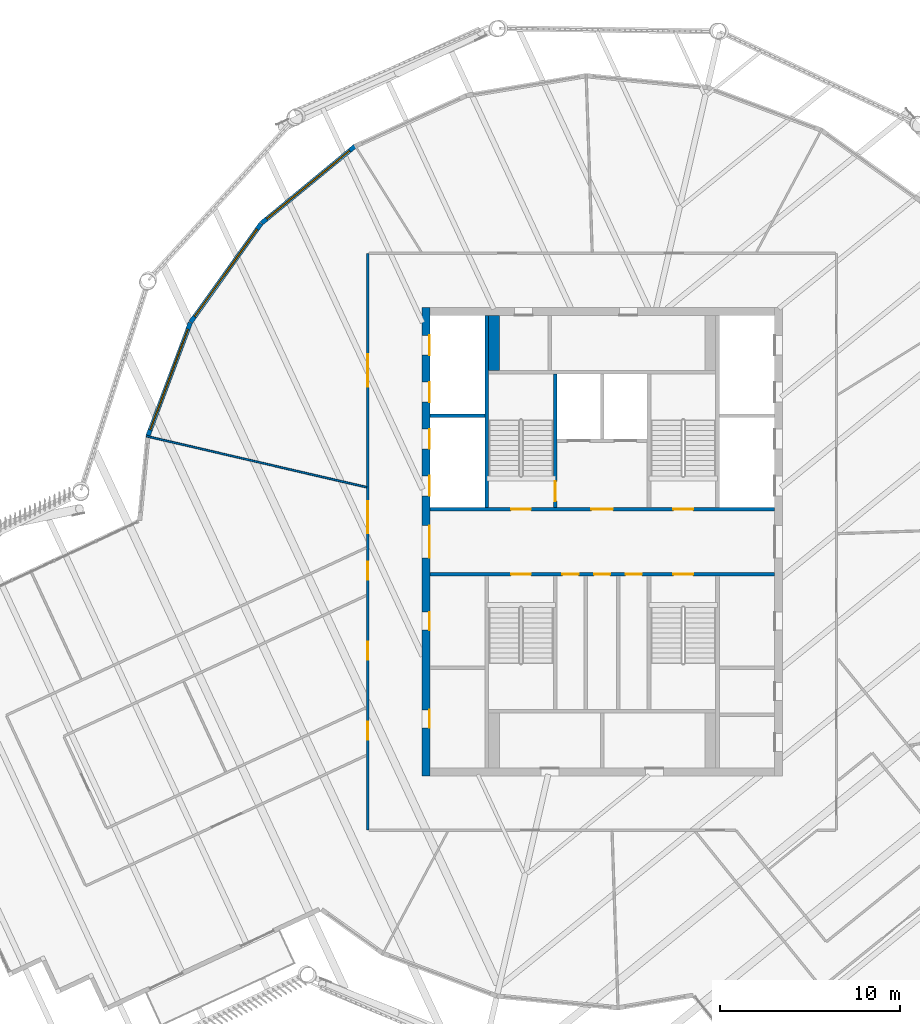
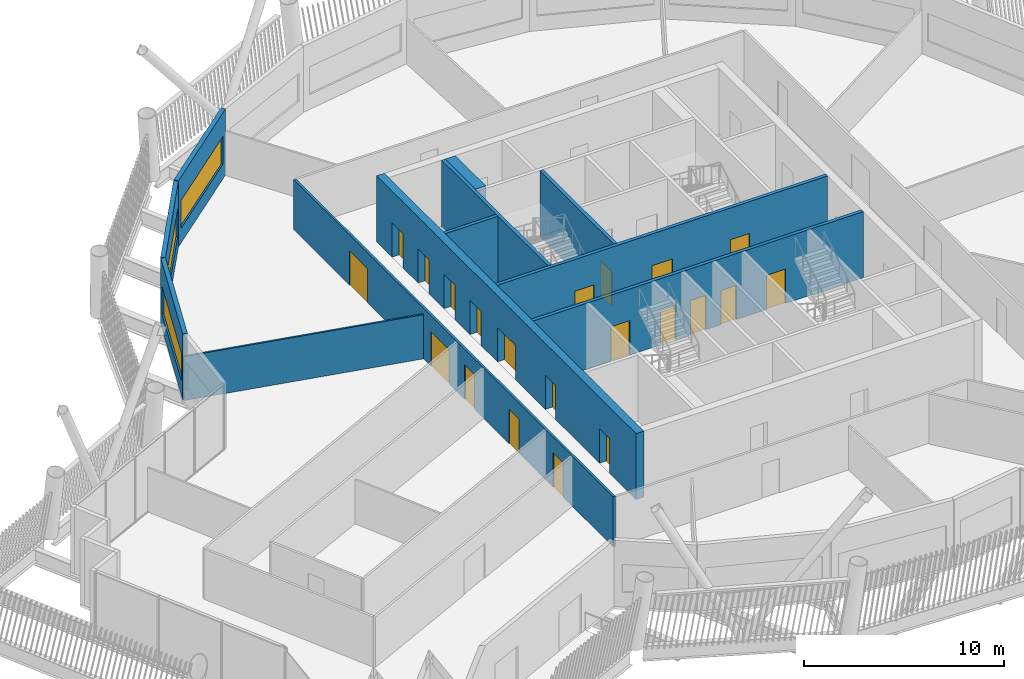
# One storey, part 19 of 36: 21 doors, 12 walls, 3 windows, 24 openings.
"""IFC4 building model written with IfcOpenShell, lengths in metres."""

import ifcopenshell
import ifcopenshell.guid

model = None  # the IFC model being written
_history = None  # IfcOwnerHistory: only IFC2X3 demands one
_inside = {}  # id of a spatial element -> (the spatial element, [elements in it])
_under = {}  # id of a project, library or spatial element -> (it, [spatial elements below it])
_declared = {}  # id of a project -> (the project, [libraries it declares])
_typed = {}  # id of a type object -> (the type object, [elements of that type])
_made_of = {}  # id of a material, layer set ... -> (it, [elements and type objects made of it])


def new_model(schema):
    """Start an empty IFC model of exactly this schema.

    Asked for "IFC4X3", IfcOpenShell would pick the latest addendum, in which some entities
    have other attributes; the version numbers below select the first issue.
    IFC2X3 requires an IfcOwnerHistory on every rooted entity: one is made here for all.
    """
    global model, _history
    if schema == "IFC4X3":
        model = ifcopenshell.file(schema_version=(4, 3, 0, 0))
    else:
        model = ifcopenshell.file(schema=schema)
    _inside.clear()
    _under.clear()
    _declared.clear()
    _typed.clear()
    _made_of.clear()
    _history = None
    if model.schema == "IFC2X3":
        org = make("IfcOrganization", Name="unknown")
        user = make(
            "IfcPersonAndOrganization",
            ThePerson=make("IfcPerson", FamilyName="unknown"),
            TheOrganization=org,
        )
        app = make(
            "IfcApplication",
            ApplicationDeveloper=org,
            Version="unknown",
            ApplicationFullName="unknown",
            ApplicationIdentifier="unknown",
        )
        _history = make(
            "IfcOwnerHistory",
            OwningUser=user,
            OwningApplication=app,
            ChangeAction="ADDED",
            CreationDate=0,
        )
    return model


def make(cls, **values):
    """One entity of the class cls with the attributes given. An attribute that is None is left unset."""
    return model.create_entity(
        cls, **{name: value for name, value in values.items() if value is not None}
    )


def rooted(cls, **values):
    """An entity with a GlobalId (a new one), such as an element, a storey or a relation."""
    return make(cls, GlobalId=ifcopenshell.guid.new(), OwnerHistory=_history, **values)


def si_unit(unit_type, name, prefix=None):
    """IfcSIUnit, for example si_unit("LENGTHUNIT", "METRE", prefix="MILLI")."""
    return make("IfcSIUnit", UnitType=unit_type, Prefix=prefix, Name=name)


def assignment(units):
    """IfcUnitAssignment: the units of a project."""
    return None if units is None else make("IfcUnitAssignment", Units=units)


def point(xyz):
    """IfcCartesianPoint."""
    return None if xyz is None else make("IfcCartesianPoint", Coordinates=xyz)


def direction(xyz):
    """IfcDirection."""
    return None if xyz is None else make("IfcDirection", DirectionRatios=xyz)


def frame(location, z_axis=None, x_axis=None):
    """IfcAxis2Placement3D, a coordinate frame: its origin and axes. An axis left out is left unset."""
    return make(
        "IfcAxis2Placement3D",
        Location=point(location),
        Axis=direction(z_axis),
        RefDirection=direction(x_axis),
    )


def frame_2d(location, x_axis=None):
    """IfcAxis2Placement2D, a coordinate frame in the plane: its origin and x axis."""
    return make(
        "IfcAxis2Placement2D", Location=point(location), RefDirection=direction(x_axis)
    )


def origin():
    """The frame at (0, 0, 0) with its axes left unset."""
    return frame((0.0, 0.0, 0.0))


def place(relative_to, where):
    """IfcLocalPlacement: puts the frame where relative to a parent placement (None: the world)."""
    return make(
        "IfcLocalPlacement", PlacementRelTo=relative_to, RelativePlacement=where
    )


def context(
    kind, dimensions, precision=None, world=None, true_north=None, identifier=None
):
    """IfcGeometricRepresentationContext, for example the 3D "Model" context."""
    return make(
        "IfcGeometricRepresentationContext",
        ContextIdentifier=identifier,
        ContextType=kind,
        CoordinateSpaceDimension=dimensions,
        Precision=precision,
        WorldCoordinateSystem=world,
        TrueNorth=true_north,
    )


def subcontext(parent, identifier, kind, view, scale=None):
    """IfcGeometricRepresentationSubContext, for example "Body" below "Model"."""
    return make(
        "IfcGeometricRepresentationSubContext",
        ContextIdentifier=identifier,
        ContextType=kind,
        ParentContext=parent,
        TargetScale=scale,
        TargetView=view,
    )


def project(units=None, contexts=None):
    """IfcProject with its units and contexts."""
    return rooted(
        "IfcProject",
        Name="project",
        RepresentationContexts=contexts,
        UnitsInContext=assignment(units),
    )


def spatial(cls, under=None, at=None, **own):
    """A site, building, storey or space (cls), placed at a placement, below another one or the project."""
    s = rooted(cls, ObjectPlacement=at, **own)
    if under is not None:
        _under.setdefault(under.id(), (under, []))[1].append(s)
    return s


def profile(cls, at=None, kind="AREA", **sizes):
    """A parametric profile (cls). Its sizes go by their IFC names, for example OverallWidth=200.0."""
    return make(cls, ProfileType=kind, Position=at, **sizes)


def rectangle(**sizes):
    """IfcRectangleProfileDef."""
    return profile("IfcRectangleProfileDef", **sizes)


def extrude(swept, where, along, depth):
    """IfcExtrudedAreaSolid: the profile swept, set in the frame where, extruded along a direction by depth."""
    return make(
        "IfcExtrudedAreaSolid",
        SweptArea=swept,
        Position=where,
        ExtrudedDirection=direction(along),
        Depth=depth,
    )


def shape(context_of_items, identifier, shape_type, items):
    """IfcShapeRepresentation: the items that make up one representation, for example the "Body"."""
    return make(
        "IfcShapeRepresentation",
        ContextOfItems=context_of_items,
        RepresentationIdentifier=identifier,
        RepresentationType=shape_type,
        Items=items,
    )


def material(Name=None, Category=None):
    """IfcMaterial."""
    return make("IfcMaterial", Name=Name, Category=Category)


def layer(
    of_material, thickness, ventilated=None, Name=None, Category=None, Priority=None
):
    """IfcMaterialLayer: one layer of a wall or slab, of a material (None: an air gap)."""
    return make(
        "IfcMaterialLayer",
        Material=of_material,
        LayerThickness=thickness,
        IsVentilated=ventilated,
        Name=Name,
        Category=Category,
        Priority=Priority,
    )


def layer_set(layers, Name=None):
    """IfcMaterialLayerSet."""
    return make("IfcMaterialLayerSet", MaterialLayers=layers, LayerSetName=Name)


def made_of(thing, what):
    """Note that an element or type object is made of a material, layer set ...; save() writes the relation."""
    if what is not None:
        _made_of.setdefault(what.id(), (what, []))[1].append(thing)
    return thing


def type_object(cls, material=None, **own):
    """A type object (cls), such as IfcWallType, which elements share."""
    return made_of(rooted(cls, **own), material)


def element(
    cls,
    number,
    at=None,
    inside=None,
    cuts=None,
    type_object=None,
    material=None,
    context=None,
    identifier="Body",
    shape_type=None,
    held_by="IfcProductDefinitionShape",
    body=None,
    shapes=None,
    **own,
):
    """One element of the class cls, such as IfcWall. Its Tag is "e" and its number.

    at: its placement. inside: the storey or other place that contains it. cuts: it is an
    opening in that element (IfcRelVoidsElement). A single representation is given by context,
    identifier, shape_type and body (its items); several are given by shapes. held_by: the class
    of the entity that holds the representations. save() writes the other relations.
    """
    e = rooted(cls, Tag="e%d" % number, ObjectPlacement=at, **own)
    if body is not None:
        shapes = [shape(context, identifier, shape_type, body)]
    if shapes is not None:
        e.Representation = make(held_by, Representations=shapes)
    if inside is not None:
        _inside.setdefault(inside.id(), (inside, []))[1].append(e)
    if cuts is not None:
        rooted(
            "IfcRelVoidsElement", RelatingBuildingElement=cuts, RelatedOpeningElement=e
        )
    if type_object is not None:
        _typed.setdefault(type_object.id(), (type_object, []))[1].append(e)
    return made_of(e, material)


def fill(opening, filler):
    """IfcRelFillsElement: the door or window that sits in an opening."""
    return rooted(
        "IfcRelFillsElement",
        RelatingOpeningElement=opening,
        RelatedBuildingElement=filler,
    )


def aggregate(whole, parts):
    """IfcRelAggregates: a whole, such as a stair, and the parts it consists of."""
    return rooted("IfcRelAggregates", RelatingObject=whole, RelatedObjects=parts)


def save(model, path):
    """Write the relations noted so far, then the file.

    IfcRelAggregates (storeys below a building ...), IfcRelContainedInSpatialStructure (elements
    in a storey), IfcRelDefinesByType, IfcRelAssociatesMaterial and IfcRelDeclares: one each for
    every whole, place, type object, material and project.
    """
    for whole, parts in _under.values():
        aggregate(whole, parts)
    for where, things in _inside.values():
        rooted(
            "IfcRelContainedInSpatialStructure",
            RelatedElements=things,
            RelatingStructure=where,
        )
    for kind, things in _typed.values():
        rooted("IfcRelDefinesByType", RelatedObjects=things, RelatingType=kind)
    for what, things in _made_of.values():
        rooted("IfcRelAssociatesMaterial", RelatedObjects=things, RelatingMaterial=what)
    for by, libraries in _declared.values():
        rooted("IfcRelDeclares", RelatingContext=by, RelatedDefinitions=libraries)
    model.write(path)


model = new_model("IFC4")

# Units and contexts
model_context = context("Model", 3, precision=1e-05, world=origin(), true_north=direction((0.0, 1.0)))
body_context = subcontext(model_context, "Body", "Model", "MODEL_VIEW")
ifc_project = project(units=[si_unit("LENGTHUNIT", "METRE"), si_unit("AREAUNIT", "SQUARE_METRE"), si_unit("VOLUMEUNIT", "CUBIC_METRE"), si_unit("PLANEANGLEUNIT", "RADIAN"), si_unit("MASSUNIT", "GRAM", prefix="KILO")], contexts=[model_context])

# Site, building, storey
site_placement = place(None, origin())
site = spatial("IfcSite", under=ifc_project, at=site_placement, CompositionType="ELEMENT")
building_placement = place(site_placement, origin())
building = spatial("IfcBuilding", under=site, at=building_placement, Name="Tarsis Ring Headquarters", CompositionType="ELEMENT")
storey_placement = place(building_placement, frame((0.0, 0.0, 386.0)))
storey = spatial("IfcBuildingStorey", under=building, at=storey_placement, Name="L91", CompositionType="ELEMENT", Elevation=386.0)

# Wall, openings, doors
ifc_material_1 = material(Name="Concrete C50/60", Category="concrete")
ifc_layer_1 = layer(ifc_material_1, 0.449951171875)
ifc_layer_set_1 = layer_set([ifc_layer_1], Name="Core wall 450 C50/60")
wall_type_1 = type_object("IfcWallType", Name="Core wall 450 C50/60", PredefinedType="SHEAR", material=ifc_layer_set_1)
wall_1_placement = place(storey_placement, frame((-9.77490234375, -13.0, 0.0), z_axis=(0.0, 0.0, 1.0), x_axis=(0.0, 1.0, 0.0)))
wall_1 = element("IfcWall", 1, at=wall_1_placement, inside=storey, type_object=wall_type_1, Name="Core wall OW", PredefinedType="SHEAR", context=body_context, shape_type="SweptSolid", body=[
    extrude(rectangle(XDim=26.0, YDim=0.449951171875, at=frame_2d((13.0, 0.0))), origin(), (0.0, 0.0, 1.0), 4.0400390625),
])
opening_1_placement = place(wall_1_placement, frame((2.675048828125, 0.0, 0.0)))
opening_1 = element("IfcOpeningElement", 2, at=opening_1_placement, cuts=wall_1, Name="Opening L91-C01", PredefinedType="OPENING", context=body_context, shape_type="SweptSolid", body=[
    extrude(rectangle(XDim=1.0, YDim=2.10009765625, at=frame_2d((0.5, 1.050048828125))), frame((0.0, 0.23486328125, 0.0), z_axis=(0.0, -1.0, 0.0), x_axis=(1.0, 0.0, 0.0)), (0.0, 0.0, 1.0), 0.469970703125),
])
opening_2_placement = place(wall_1_placement, frame((8.10009765625, 0.0, 0.0)))
opening_2 = element("IfcOpeningElement", 3, at=opening_2_placement, cuts=wall_1, Name="Opening L91-C02", PredefinedType="OPENING", context=body_context, shape_type="SweptSolid", body=[
    extrude(rectangle(XDim=1.0, YDim=2.10009765625, at=frame_2d((0.5, 1.050048828125))), frame((0.0, 0.23486328125, 0.0), z_axis=(0.0, -1.0, 0.0), x_axis=(1.0, 0.0, 0.0)), (0.0, 0.0, 1.0), 0.469970703125),
])
opening_3_placement = place(wall_1_placement, frame((12.10009765625, 0.0, 0.0)))
opening_3 = element("IfcOpeningElement", 4, at=opening_3_placement, cuts=wall_1, Name="Opening L91-C03", PredefinedType="OPENING", context=body_context, shape_type="SweptSolid", body=[
    extrude(rectangle(XDim=1.800048828125, YDim=2.10009765625, at=frame_2d((0.89990234375, 1.050048828125))), frame((0.0, 0.23486328125, 0.0), z_axis=(0.0, -1.0, 0.0), x_axis=(1.0, 0.0, 0.0)), (0.0, 0.0, 1.0), 0.469970703125),
])
opening_4_placement = place(wall_1_placement, frame((15.550048828125, 0.0, 0.0)))
opening_4 = element("IfcOpeningElement", 5, at=opening_4_placement, cuts=wall_1, Name="Opening LD-HR1", PredefinedType="OPENING", context=body_context, shape_type="SweptSolid", body=[
    extrude(rectangle(XDim=1.10009765625, YDim=2.10009765625, at=frame_2d((0.550048828125, 1.050048828125))), frame((0.0, 0.23486328125, 0.0), z_axis=(0.0, -1.0, 0.0), x_axis=(1.0, 0.0, 0.0)), (0.0, 0.0, 1.0), 0.469970703125),
])
opening_5_placement = place(wall_1_placement, frame((18.14990234375, 0.0, 0.0)))
opening_5 = element("IfcOpeningElement", 6, at=opening_5_placement, cuts=wall_1, Name="Opening LD-HR2", PredefinedType="OPENING", context=body_context, shape_type="SweptSolid", body=[
    extrude(rectangle(XDim=1.10009765625, YDim=2.10009765625, at=frame_2d((0.550048828125, 1.050048828125))), frame((0.0, 0.23486328125, 0.0), z_axis=(0.0, -1.0, 0.0), x_axis=(1.0, 0.0, 0.0)), (0.0, 0.0, 1.0), 0.469970703125),
])
opening_6_placement = place(wall_1_placement, frame((20.75, 0.0, 0.0)))
opening_6 = element("IfcOpeningElement", 7, at=opening_6_placement, cuts=wall_1, Name="Opening LD-HR3", PredefinedType="OPENING", context=body_context, shape_type="SweptSolid", body=[
    extrude(rectangle(XDim=1.10009765625, YDim=2.10009765625, at=frame_2d((0.550048828125, 1.050048828125))), frame((0.0, 0.23486328125, 0.0), z_axis=(0.0, -1.0, 0.0), x_axis=(1.0, 0.0, 0.0)), (0.0, 0.0, 1.0), 0.469970703125),
])
opening_7_placement = place(wall_1_placement, frame((23.35009765625, 0.0, 0.0)))
opening_7 = element("IfcOpeningElement", 8, at=opening_7_placement, cuts=wall_1, Name="Opening LD-HR4", PredefinedType="OPENING", context=body_context, shape_type="SweptSolid", body=[
    extrude(rectangle(XDim=1.10009765625, YDim=2.10009765625, at=frame_2d((0.550048828125, 1.050048828125))), frame((0.0, 0.23486328125, 0.0), z_axis=(0.0, -1.0, 0.0), x_axis=(1.0, 0.0, 0.0)), (0.0, 0.0, 1.0), 0.469970703125),
])
ifc_material_2 = material(Name="Steel S355", Category="steel")
door_type_1 = type_object("IfcDoorType", Name="Core entry door 1800x2100", OperationType="DOUBLE_DOOR_SINGLE_SWING", PredefinedType="DOOR", material=ifc_material_2)
door_1_placement = place(opening_3_placement, origin())
door_1 = element("IfcDoor", 9, at=door_1_placement, inside=storey, type_object=door_type_1, Name="Core entry door L91", OperationType="DOUBLE_DOOR_SINGLE_SWING", OverallHeight=2.10009765625, OverallWidth=1.800048828125, PredefinedType="DOOR", context=body_context, shape_type="SweptSolid", body=[
    extrude(rectangle(XDim=1.800048828125, YDim=2.10009765625, at=frame_2d((0.89990234375, 1.050048828125))), frame((0.0, -0.1748046875, 0.0), z_axis=(0.0, -1.0, 0.0), x_axis=(1.0, 0.0, 0.0)), (0.0, 0.0, 1.0), 0.050048828125),
])
fill(opening_3, door_1)
door_type_2 = type_object("IfcDoorType", Name="Core room door 1000x2100", OperationType="SINGLE_SWING_LEFT", PredefinedType="DOOR", material=ifc_material_2)
door_2_placement = place(opening_1_placement, origin())
door_2 = element("IfcDoor", 10, at=door_2_placement, inside=storey, type_object=door_type_2, Name="Core room door L91", OperationType="SINGLE_SWING_LEFT", OverallHeight=2.10009765625, OverallWidth=1.0, PredefinedType="DOOR", context=body_context, shape_type="SweptSolid", body=[
    extrude(rectangle(XDim=1.0, YDim=2.10009765625, at=frame_2d((0.5, 1.050048828125))), frame((0.0, -0.1748046875, 0.0), z_axis=(0.0, -1.0, 0.0), x_axis=(1.0, 0.0, 0.0)), (0.0, 0.0, 1.0), 0.050048828125),
])
fill(opening_1, door_2)
door_3_placement = place(opening_2_placement, origin())
door_3 = element("IfcDoor", 11, at=door_3_placement, inside=storey, type_object=door_type_2, Name="Core room door L91", OperationType="SINGLE_SWING_LEFT", OverallHeight=2.10009765625, OverallWidth=1.0, PredefinedType="DOOR", context=body_context, shape_type="SweptSolid", body=[
    extrude(rectangle(XDim=1.0, YDim=2.10009765625, at=frame_2d((0.5, 1.050048828125))), frame((0.0, -0.1748046875, 0.0), z_axis=(0.0, -1.0, 0.0), x_axis=(1.0, 0.0, 0.0)), (0.0, 0.0, 1.0), 0.050048828125),
])
fill(opening_2, door_3)
door_type_3 = type_object("IfcDoorType", Name="Landing door 1100x2100", OperationType="SLIDING_TO_LEFT", PredefinedType="DOOR", material=ifc_material_2)
door_4_placement = place(opening_4_placement, origin())
door_4 = element("IfcDoor", 12, at=door_4_placement, inside=storey, type_object=door_type_3, Name="Landing door HR1 L91", OperationType="SLIDING_TO_LEFT", OverallHeight=2.10009765625, OverallWidth=1.10009765625, PredefinedType="DOOR", context=body_context, shape_type="SweptSolid", body=[
    extrude(rectangle(XDim=1.10009765625, YDim=2.10009765625, at=frame_2d((0.550048828125, 1.050048828125))), frame((0.0, -0.1748046875, 0.0), z_axis=(0.0, -1.0, 0.0), x_axis=(1.0, 0.0, 0.0)), (0.0, 0.0, 1.0), 0.050048828125),
])
fill(opening_4, door_4)
door_5_placement = place(opening_5_placement, origin())
door_5 = element("IfcDoor", 13, at=door_5_placement, inside=storey, type_object=door_type_3, Name="Landing door HR2 L91", OperationType="SLIDING_TO_LEFT", OverallHeight=2.10009765625, OverallWidth=1.10009765625, PredefinedType="DOOR", context=body_context, shape_type="SweptSolid", body=[
    extrude(rectangle(XDim=1.10009765625, YDim=2.10009765625, at=frame_2d((0.550048828125, 1.050048828125))), frame((0.0, -0.1748046875, 0.0), z_axis=(0.0, -1.0, 0.0), x_axis=(1.0, 0.0, 0.0)), (0.0, 0.0, 1.0), 0.050048828125),
])
fill(opening_5, door_5)
door_6_placement = place(opening_6_placement, origin())
door_6 = element("IfcDoor", 14, at=door_6_placement, inside=storey, type_object=door_type_3, Name="Landing door HR3 L91", OperationType="SLIDING_TO_LEFT", OverallHeight=2.10009765625, OverallWidth=1.10009765625, PredefinedType="DOOR", context=body_context, shape_type="SweptSolid", body=[
    extrude(rectangle(XDim=1.10009765625, YDim=2.10009765625, at=frame_2d((0.550048828125, 1.050048828125))), frame((0.0, -0.1748046875, 0.0), z_axis=(0.0, -1.0, 0.0), x_axis=(1.0, 0.0, 0.0)), (0.0, 0.0, 1.0), 0.050048828125),
])
fill(opening_6, door_6)
door_7_placement = place(opening_7_placement, origin())
door_7 = element("IfcDoor", 15, at=door_7_placement, inside=storey, type_object=door_type_3, Name="Landing door HR4 L91", OperationType="SLIDING_TO_LEFT", OverallHeight=2.10009765625, OverallWidth=1.10009765625, PredefinedType="DOOR", context=body_context, shape_type="SweptSolid", body=[
    extrude(rectangle(XDim=1.10009765625, YDim=2.10009765625, at=frame_2d((0.550048828125, 1.050048828125))), frame((0.0, -0.1748046875, 0.0), z_axis=(0.0, -1.0, 0.0), x_axis=(1.0, 0.0, 0.0)), (0.0, 0.0, 1.0), 0.050048828125),
])
fill(opening_7, door_7)

# Wall
ifc_material_3 = material(Name="Gypsum board on steel studs", Category="steel")
ifc_layer_2 = layer(ifc_material_3, 0.10009765625)
ifc_layer_set_2 = layer_set([ifc_layer_2], Name="FL partition 100 unrated")
wall_type_2 = type_object("IfcWallType", Name="FL partition 100 unrated", PredefinedType="PARTITIONING", material=ifc_layer_set_2)
wall_2_placement = place(storey_placement, frame((-25.27880859375, 5.8544921875, 0.0), z_axis=(0.0, 0.0, 1.0), x_axis=(0.974215593354, -0.225619098627, 0.0)))
element("IfcWall", 16, at=wall_2_placement, inside=storey, type_object=wall_type_2, Name="Partition PW3", PredefinedType="PARTITIONING", context=body_context, shape_type="SweptSolid", body=[
    extrude(rectangle(XDim=12.533935546875, YDim=0.10009765625, at=frame_2d((6.26708984375, 0.0))), origin(), (0.0, 0.0, 1.0), 2.699951171875),
])

# Wall, openings, doors
ifc_layer_3 = layer(ifc_material_3, 0.125)
ifc_layer_set_3 = layer_set([ifc_layer_3], Name="FL partition 125 EI 60 H3070")
wall_type_3 = type_object("IfcWallType", Name="FL partition 125 EI 60 H3070", PredefinedType="PARTITIONING", material=ifc_layer_set_3)
wall_3_placement = place(storey_placement, frame((-13.0, -16.0, 0.0), z_axis=(0.0, 0.0, 1.0), x_axis=(0.0, 1.0, 0.0)))
wall_3 = element("IfcWall", 17, at=wall_3_placement, inside=storey, type_object=wall_type_3, Name="Partition PW1H307", PredefinedType="PARTITIONING", context=body_context, shape_type="SweptSolid", body=[
    extrude(rectangle(XDim=32.0, YDim=0.125, at=frame_2d((16.0, 0.0))), origin(), (0.0, 0.0, 1.0), 3.070068359375),
])
opening_8_placement = place(wall_3_placement, frame((16.458740234375, 0.0, 0.0)))
opening_8 = element("IfcOpeningElement", 18, at=opening_8_placement, cuts=wall_3, Name="Opening D91.02", PredefinedType="OPENING", context=body_context, shape_type="SweptSolid", body=[
    extrude(rectangle(XDim=1.800048828125, YDim=2.10009765625, at=frame_2d((0.89990234375, 1.050048828125))), frame((0.0, 0.072509765625, 0.0), z_axis=(0.0, -1.0, 0.0), x_axis=(1.0, 0.0, 0.0)), (0.0, 0.0, 1.0), 0.14501953125),
])
opening_9_placement = place(wall_3_placement, frame((24.60546875, 0.0, 0.0)))
opening_9 = element("IfcOpeningElement", 19, at=opening_9_placement, cuts=wall_3, Name="Opening D91.03", PredefinedType="OPENING", context=body_context, shape_type="SweptSolid", body=[
    extrude(rectangle(XDim=1.800048828125, YDim=2.10009765625, at=frame_2d((0.89990234375, 1.050048828125))), frame((0.0, 0.072509765625, 0.0), z_axis=(0.0, -1.0, 0.0), x_axis=(1.0, 0.0, 0.0)), (0.0, 0.0, 1.0), 0.14501953125),
])
opening_10_placement = place(wall_3_placement, frame((9.448974609375, 0.0, 0.0)))
opening_10 = element("IfcOpeningElement", 20, at=opening_10_placement, cuts=wall_3, Name="Opening D91.12", PredefinedType="OPENING", context=body_context, shape_type="SweptSolid", body=[
    extrude(rectangle(XDim=1.0, YDim=2.10009765625, at=frame_2d((0.5, 1.050048828125))), frame((0.0, 0.072509765625, 0.0), z_axis=(0.0, -1.0, 0.0), x_axis=(1.0, 0.0, 0.0)), (0.0, 0.0, 1.0), 0.14501953125),
])
opening_11_placement = place(wall_3_placement, frame((5.014892578125, 0.0, 0.0)))
opening_11 = element("IfcOpeningElement", 21, at=opening_11_placement, cuts=wall_3, Name="Opening D91.17", PredefinedType="OPENING", context=body_context, shape_type="SweptSolid", body=[
    extrude(rectangle(XDim=1.0, YDim=2.10009765625, at=frame_2d((0.5, 1.050048828125))), frame((0.0, 0.072509765625, 0.0), z_axis=(0.0, -1.0, 0.0), x_axis=(1.0, 0.0, 0.0)), (0.0, 0.0, 1.0), 0.14501953125),
])
opening_12_placement = place(wall_3_placement, frame((13.88330078125, 0.0, 0.0)))
opening_12 = element("IfcOpeningElement", 22, at=opening_12_placement, cuts=wall_3, Name="Opening D91.18", PredefinedType="OPENING", context=body_context, shape_type="SweptSolid", body=[
    extrude(rectangle(XDim=1.0, YDim=2.10009765625, at=frame_2d((0.5, 1.050048828125))), frame((0.0, 0.072509765625, 0.0), z_axis=(0.0, -1.0, 0.0), x_axis=(1.0, 0.0, 0.0)), (0.0, 0.0, 1.0), 0.14501953125),
])
ifc_material_4 = material(Name="Fire-rated timber door leaf in steel frame", Category="steel")
door_type_4 = type_object("IfcDoorType", Name="FL door FD60-1000", OperationType="NOTDEFINED", PredefinedType="DOOR", material=ifc_material_4)
door_8_placement = place(opening_10_placement, origin())
door_8 = element("IfcDoor", 23, at=door_8_placement, inside=storey, type_object=door_type_4, Name="Door D91.12", OperationType="SINGLE_SWING_LEFT", OverallHeight=2.10009765625, OverallWidth=1.0, PredefinedType="DOOR", context=body_context, shape_type="SweptSolid", body=[
    extrude(rectangle(XDim=1.0, YDim=2.10009765625, at=frame_2d((0.5, 1.050048828125))), frame((0.0, 0.02490234375, 0.0), z_axis=(0.0, -1.0, 0.0), x_axis=(1.0, 0.0, 0.0)), (0.0, 0.0, 1.0), 0.050048828125),
])
fill(opening_10, door_8)
door_9_placement = place(opening_11_placement, origin())
door_9 = element("IfcDoor", 24, at=door_9_placement, inside=storey, type_object=door_type_4, Name="Door D91.17", OperationType="SINGLE_SWING_RIGHT", OverallHeight=2.10009765625, OverallWidth=1.0, PredefinedType="DOOR", context=body_context, shape_type="SweptSolid", body=[
    extrude(rectangle(XDim=1.0, YDim=2.10009765625, at=frame_2d((0.5, 1.050048828125))), frame((0.0, 0.02490234375, 0.0), z_axis=(0.0, -1.0, 0.0), x_axis=(1.0, 0.0, 0.0)), (0.0, 0.0, 1.0), 0.050048828125),
])
fill(opening_11, door_9)
door_10_placement = place(opening_12_placement, origin())
door_10 = element("IfcDoor", 25, at=door_10_placement, inside=storey, type_object=door_type_4, Name="Door D91.18", OperationType="SINGLE_SWING_LEFT", OverallHeight=2.10009765625, OverallWidth=1.0, PredefinedType="DOOR", context=body_context, shape_type="SweptSolid", body=[
    extrude(rectangle(XDim=1.0, YDim=2.10009765625, at=frame_2d((0.5, 1.050048828125))), frame((0.0, 0.02490234375, 0.0), z_axis=(0.0, -1.0, 0.0), x_axis=(1.0, 0.0, 0.0)), (0.0, 0.0, 1.0), 0.050048828125),
])
fill(opening_12, door_10)
door_type_5 = type_object("IfcDoorType", Name="FL door FD60-1800", OperationType="DOUBLE_DOOR_SINGLE_SWING", PredefinedType="DOOR", material=ifc_material_4)
door_11_placement = place(opening_8_placement, origin())
door_11 = element("IfcDoor", 26, at=door_11_placement, inside=storey, type_object=door_type_5, Name="Door D91.02", OperationType="DOUBLE_DOOR_SINGLE_SWING", OverallHeight=2.10009765625, OverallWidth=1.800048828125, PredefinedType="DOOR", context=body_context, shape_type="SweptSolid", body=[
    extrude(rectangle(XDim=1.800048828125, YDim=2.10009765625, at=frame_2d((0.89990234375, 1.050048828125))), frame((0.0, 0.02490234375, 0.0), z_axis=(0.0, -1.0, 0.0), x_axis=(1.0, 0.0, 0.0)), (0.0, 0.0, 1.0), 0.050048828125),
])
fill(opening_8, door_11)
door_12_placement = place(opening_9_placement, origin())
door_12 = element("IfcDoor", 27, at=door_12_placement, inside=storey, type_object=door_type_5, Name="Door D91.03", OperationType="DOUBLE_DOOR_SINGLE_SWING", OverallHeight=2.10009765625, OverallWidth=1.800048828125, PredefinedType="DOOR", context=body_context, shape_type="SweptSolid", body=[
    extrude(rectangle(XDim=1.800048828125, YDim=2.10009765625, at=frame_2d((0.89990234375, 1.050048828125))), frame((0.0, 0.02490234375, 0.0), z_axis=(0.0, -1.0, 0.0), x_axis=(1.0, 0.0, 0.0)), (0.0, 0.0, 1.0), 0.050048828125),
])
fill(opening_9, door_12)

# Wall, opening, window
ifc_material_5 = material(Name="Terracotta clad insulated panel wall", Category="masonry")
ifc_layer_4 = layer(ifc_material_5, 0.25)
ifc_layer_set_4 = layer_set([ifc_layer_4], Name="Facade wall terracotta panel 250")
wall_type_4 = type_object("IfcWallType", Name="Facade wall terracotta panel 250", PredefinedType="STANDARD", material=ifc_layer_set_4)
wall_4_placement = place(storey_placement, frame((-13.70849609375, 21.94140625, 0.0), z_axis=(0.0, 0.0, 1.0), x_axis=(-0.772071762023, -0.635535360375, 0.0)))
wall_4 = element("IfcWall", 28, at=wall_4_placement, inside=storey, type_object=wall_type_4, Name="External wall L91-27", PredefinedType="STANDARD", context=body_context, shape_type="SweptSolid", body=[
    extrude(rectangle(XDim=6.721435546875, YDim=0.25, at=frame_2d((3.36083984375, 0.0))), origin(), (0.0, 0.0, 1.0), 4.0400390625),
])
opening_13_placement = place(wall_4_placement, frame((0.3857421875, 0.0, 0.89990234375)))
opening_13 = element("IfcOpeningElement", 29, at=opening_13_placement, cuts=wall_4, Name="Opening WN07", PredefinedType="OPENING", context=body_context, shape_type="SweptSolid", body=[
    extrude(rectangle(XDim=5.949951171875, YDim=1.699951171875, at=frame_2d((2.97509765625, 0.85009765625))), frame((0.0, 0.135009765625, 0.0), z_axis=(0.0, -1.0, 0.0), x_axis=(1.0, 0.0, 0.0)), (0.0, 0.0, 1.0), 0.27001953125),
])
ifc_material_6 = material(Name="Aluminium framed double glazing", Category="aluminium")
window_type = type_object("IfcWindowType", Name="Facade window 5950 x 1700", PartitioningType="SINGLE_PANEL", PredefinedType="WINDOW", material=ifc_material_6)
window_1_placement = place(opening_13_placement, origin())
window_1 = element("IfcWindow", 30, at=window_1_placement, inside=storey, type_object=window_type, Name="Window L91-27.1", OverallHeight=1.699951171875, OverallWidth=5.949951171875, PartitioningType="SINGLE_PANEL", PredefinedType="WINDOW", context=body_context, shape_type="SweptSolid", body=[
    extrude(rectangle(XDim=5.949951171875, YDim=1.699951171875, at=frame_2d((2.97509765625, 0.85009765625))), frame((0.0, 0.030029296875, 0.0), z_axis=(0.0, -1.0, 0.0), x_axis=(1.0, 0.0, 0.0)), (0.0, 0.0, 1.0), 0.06005859375),
])
fill(opening_13, window_1)

wall_5_placement = place(storey_placement, frame((-18.920166015625, 17.645751953125, 0.0), z_axis=(0.0, 0.0, 1.0), x_axis=(-0.581275988582, -0.81370647355, 0.0)))
wall_5 = element("IfcWall", 31, at=wall_5_placement, inside=storey, type_object=wall_type_4, Name="External wall L91-28", PredefinedType="STANDARD", context=body_context, shape_type="SweptSolid", body=[
    extrude(rectangle(XDim=6.721435546875, YDim=0.25, at=frame_2d((3.36083984375, 0.0))), origin(), (0.0, 0.0, 1.0), 4.0400390625),
])
opening_14_placement = place(wall_5_placement, frame((0.3857421875, 0.0, 0.89990234375)))
opening_14 = element("IfcOpeningElement", 32, at=opening_14_placement, cuts=wall_5, Name="Opening WN07", PredefinedType="OPENING", context=body_context, shape_type="SweptSolid", body=[
    extrude(rectangle(XDim=5.949951171875, YDim=1.699951171875, at=frame_2d((2.97509765625, 0.85009765625))), frame((0.0, 0.135009765625, 0.0), z_axis=(0.0, -1.0, 0.0), x_axis=(1.0, 0.0, 0.0)), (0.0, 0.0, 1.0), 0.27001953125),
])
window_2_placement = place(opening_14_placement, origin())
window_2 = element("IfcWindow", 33, at=window_2_placement, inside=storey, type_object=window_type, Name="Window L91-28.1", OverallHeight=1.699951171875, OverallWidth=5.949951171875, PartitioningType="SINGLE_PANEL", PredefinedType="WINDOW", context=body_context, shape_type="SweptSolid", body=[
    extrude(rectangle(XDim=5.949951171875, YDim=1.699951171875, at=frame_2d((2.97509765625, 0.85009765625))), frame((0.0, 0.030029296875, 0.0), z_axis=(0.0, -1.0, 0.0), x_axis=(1.0, 0.0, 0.0)), (0.0, 0.0, 1.0), 0.06005859375),
])
fill(opening_14, window_2)

wall_6_placement = place(storey_placement, frame((-22.842529296875, 12.147705078125, 0.0), z_axis=(0.0, 0.0, 1.0), x_axis=(-0.350860722556, -0.93642765517, 0.0)))
wall_6 = element("IfcWall", 34, at=wall_6_placement, inside=storey, type_object=wall_type_4, Name="External wall L91-29", PredefinedType="STANDARD", context=body_context, shape_type="SweptSolid", body=[
    extrude(rectangle(XDim=6.7216796875, YDim=0.25, at=frame_2d((3.36083984375, 0.0))), origin(), (0.0, 0.0, 1.0), 4.0400390625),
])
opening_15_placement = place(wall_6_placement, frame((0.3857421875, 0.0, 0.89990234375)))
opening_15 = element("IfcOpeningElement", 35, at=opening_15_placement, cuts=wall_6, Name="Opening WN07", PredefinedType="OPENING", context=body_context, shape_type="SweptSolid", body=[
    extrude(rectangle(XDim=5.949951171875, YDim=1.699951171875, at=frame_2d((2.97509765625, 0.85009765625))), frame((0.0, 0.135009765625, 0.0), z_axis=(0.0, -1.0, 0.0), x_axis=(1.0, 0.0, 0.0)), (0.0, 0.0, 1.0), 0.27001953125),
])
window_3_placement = place(opening_15_placement, origin())
window_3 = element("IfcWindow", 36, at=window_3_placement, inside=storey, type_object=window_type, Name="Window L91-29.1", OverallHeight=1.699951171875, OverallWidth=5.949951171875, PartitioningType="SINGLE_PANEL", PredefinedType="WINDOW", context=body_context, shape_type="SweptSolid", body=[
    extrude(rectangle(XDim=5.949951171875, YDim=1.699951171875, at=frame_2d((2.97509765625, 0.85009765625))), frame((0.0, 0.030029296875, 0.0), z_axis=(0.0, -1.0, 0.0), x_axis=(1.0, 0.0, 0.0)), (0.0, 0.0, 1.0), 0.06005859375),
])
fill(opening_15, window_3)

# Wall
ifc_material_7 = material(Name="Concrete C32/40", Category="concrete")
ifc_layer_5 = layer(ifc_material_7, 0.60009765625)
ifc_layer_set_5 = layer_set([ifc_layer_5], Name="Shaft end wall 600 C32/40")
wall_type_5 = type_object("IfcWallType", Name="Shaft end wall 600 C32/40", PredefinedType="SOLIDWALL", material=ifc_layer_set_5)
wall_7_placement = place(storey_placement, frame((-6.0, 9.5, 0.0), z_axis=(0.0, 0.0, 1.0), x_axis=(0.0, 1.0, 0.0)))
element("IfcWall", 37, at=wall_7_placement, inside=storey, type_object=wall_type_5, Name="Core shaft wall NNE1", PredefinedType="SOLIDWALL", context=body_context, shape_type="SweptSolid", body=[
    extrude(rectangle(XDim=3.050048828125, YDim=0.60009765625, at=frame_2d((1.52490234375, 0.0))), origin(), (0.0, 0.0, 1.0), 4.0400390625),
])

# Wall, openings, doors
ifc_layer_6 = layer(ifc_material_7, 0.199951171875)
ifc_layer_set_6 = layer_set([ifc_layer_6], Name="Shaft wall 200 C32/40")
wall_type_6 = type_object("IfcWallType", Name="Shaft wall 200 C32/40", PredefinedType="SOLIDWALL", material=ifc_layer_set_6)
wall_8_placement = place(storey_placement, frame((-9.550048828125, 1.800048828125, 0.0), z_axis=(0.0, 0.0, 1.0), x_axis=(1.0, 0.0, 0.0)))
wall_8 = element("IfcWall", 38, at=wall_8_placement, inside=storey, type_object=wall_type_6, Name="Core shaft wall CN", PredefinedType="SOLIDWALL", context=body_context, shape_type="SweptSolid", body=[
    extrude(rectangle(XDim=19.10009765625, YDim=0.199951171875, at=frame_2d((9.550048828125, 0.0))), origin(), (0.0, 0.0, 1.0), 4.0400390625),
])
opening_16_placement = place(wall_8_placement, frame((4.5, 0.0, 0.0)))
opening_16 = element("IfcOpeningElement", 39, at=opening_16_placement, cuts=wall_8, Name="Opening L91-C20", PredefinedType="OPENING", context=body_context, shape_type="SweptSolid", body=[
    extrude(rectangle(XDim=1.10009765625, YDim=2.10009765625, at=frame_2d((0.550048828125, 1.050048828125))), frame((0.0, 0.10986328125, 0.0), z_axis=(0.0, -1.0, 0.0), x_axis=(1.0, 0.0, 0.0)), (0.0, 0.0, 1.0), 0.219970703125),
])
opening_17_placement = place(wall_8_placement, frame((8.949951171875, 0.0, 0.0)))
opening_17 = element("IfcOpeningElement", 40, at=opening_17_placement, cuts=wall_8, Name="Opening L91-C21", PredefinedType="OPENING", context=body_context, shape_type="SweptSolid", body=[
    extrude(rectangle(XDim=1.199951171875, YDim=2.10009765625, at=frame_2d((0.60009765625, 1.050048828125))), frame((0.0, 0.10986328125, 0.0), z_axis=(0.0, -1.0, 0.0), x_axis=(1.0, 0.0, 0.0)), (0.0, 0.0, 1.0), 0.219970703125),
])
opening_18_placement = place(wall_8_placement, frame((13.5, 0.0, 0.0)))
opening_18 = element("IfcOpeningElement", 41, at=opening_18_placement, cuts=wall_8, Name="Opening L91-C22", PredefinedType="OPENING", context=body_context, shape_type="SweptSolid", body=[
    extrude(rectangle(XDim=1.10009765625, YDim=2.10009765625, at=frame_2d((0.550048828125, 1.050048828125))), frame((0.0, 0.10986328125, 0.0), z_axis=(0.0, -1.0, 0.0), x_axis=(1.0, 0.0, 0.0)), (0.0, 0.0, 1.0), 0.219970703125),
])
door_type_6 = type_object("IfcDoorType", Name="Firefighting lobby door 1200x2100", OperationType="DOUBLE_DOOR_SINGLE_SWING", PredefinedType="DOOR", material=ifc_material_2)
door_13_placement = place(opening_17_placement, origin())
door_13 = element("IfcDoor", 42, at=door_13_placement, inside=storey, type_object=door_type_6, Name="Firefighting lobby door L91", OperationType="DOUBLE_DOOR_SINGLE_SWING", OverallHeight=2.10009765625, OverallWidth=1.199951171875, PredefinedType="DOOR", context=body_context, shape_type="SweptSolid", body=[
    extrude(rectangle(XDim=1.199951171875, YDim=2.10009765625, at=frame_2d((0.60009765625, 1.050048828125))), frame((0.0, 0.02490234375, 0.0), z_axis=(0.0, -1.0, 0.0), x_axis=(1.0, 0.0, 0.0)), (0.0, 0.0, 1.0), 0.050048828125),
])
fill(opening_17, door_13)
door_type_7 = type_object("IfcDoorType", Name="Stair door 1100x2100", OperationType="SINGLE_SWING_LEFT", PredefinedType="DOOR", material=ifc_material_2)
door_14_placement = place(opening_16_placement, origin())
door_14 = element("IfcDoor", 43, at=door_14_placement, inside=storey, type_object=door_type_7, Name="Stair door L91", OperationType="SINGLE_SWING_LEFT", OverallHeight=2.10009765625, OverallWidth=1.10009765625, PredefinedType="DOOR", context=body_context, shape_type="SweptSolid", body=[
    extrude(rectangle(XDim=1.10009765625, YDim=2.10009765625, at=frame_2d((0.550048828125, 1.050048828125))), frame((0.0, 0.02490234375, 0.0), z_axis=(0.0, -1.0, 0.0), x_axis=(1.0, 0.0, 0.0)), (0.0, 0.0, 1.0), 0.050048828125),
])
fill(opening_16, door_14)
door_15_placement = place(opening_18_placement, origin())
door_15 = element("IfcDoor", 44, at=door_15_placement, inside=storey, type_object=door_type_7, Name="Stair door L91", OperationType="SINGLE_SWING_LEFT", OverallHeight=2.10009765625, OverallWidth=1.10009765625, PredefinedType="DOOR", context=body_context, shape_type="SweptSolid", body=[
    extrude(rectangle(XDim=1.10009765625, YDim=2.10009765625, at=frame_2d((0.550048828125, 1.050048828125))), frame((0.0, 0.02490234375, 0.0), z_axis=(0.0, -1.0, 0.0), x_axis=(1.0, 0.0, 0.0)), (0.0, 0.0, 1.0), 0.050048828125),
])
fill(opening_18, door_15)

wall_9_placement = place(storey_placement, frame((-9.550048828125, -1.800048828125, 0.0), z_axis=(0.0, 0.0, 1.0), x_axis=(1.0, 0.0, 0.0)))
wall_9 = element("IfcWall", 45, at=wall_9_placement, inside=storey, type_object=wall_type_6, Name="Core shaft wall CS", PredefinedType="SOLIDWALL", context=body_context, shape_type="SweptSolid", body=[
    extrude(rectangle(XDim=19.10009765625, YDim=0.199951171875, at=frame_2d((9.550048828125, 0.0))), origin(), (0.0, 0.0, 1.0), 4.0400390625),
])
opening_19_placement = place(wall_9_placement, frame((4.5, 0.0, 0.0)))
opening_19 = element("IfcOpeningElement", 46, at=opening_19_placement, cuts=wall_9, Name="Opening L91-C23", PredefinedType="OPENING", context=body_context, shape_type="SweptSolid", body=[
    extrude(rectangle(XDim=1.10009765625, YDim=2.10009765625, at=frame_2d((0.550048828125, 1.050048828125))), frame((0.0, 0.10986328125, 0.0), z_axis=(0.0, -1.0, 0.0), x_axis=(1.0, 0.0, 0.0)), (0.0, 0.0, 1.0), 0.219970703125),
])
opening_20_placement = place(wall_9_placement, frame((7.35009765625, 0.0, 0.0)))
opening_20 = element("IfcOpeningElement", 47, at=opening_20_placement, cuts=wall_9, Name="Opening L91-C24", PredefinedType="OPENING", context=body_context, shape_type="SweptSolid", body=[
    extrude(rectangle(XDim=0.89990234375, YDim=2.10009765625, at=frame_2d((0.449951171875, 1.050048828125))), frame((0.0, 0.10986328125, 0.0), z_axis=(0.0, -1.0, 0.0), x_axis=(1.0, 0.0, 0.0)), (0.0, 0.0, 1.0), 0.219970703125),
])
opening_21_placement = place(wall_9_placement, frame((9.10009765625, 0.0, 0.0)))
opening_21 = element("IfcOpeningElement", 48, at=opening_21_placement, cuts=wall_9, Name="Opening L91-C25", PredefinedType="OPENING", context=body_context, shape_type="SweptSolid", body=[
    extrude(rectangle(XDim=0.89990234375, YDim=2.10009765625, at=frame_2d((0.449951171875, 1.050048828125))), frame((0.0, 0.10986328125, 0.0), z_axis=(0.0, -1.0, 0.0), x_axis=(1.0, 0.0, 0.0)), (0.0, 0.0, 1.0), 0.219970703125),
])
opening_22_placement = place(wall_9_placement, frame((10.85009765625, 0.0, 0.0)))
opening_22 = element("IfcOpeningElement", 49, at=opening_22_placement, cuts=wall_9, Name="Opening L91-C26", PredefinedType="OPENING", context=body_context, shape_type="SweptSolid", body=[
    extrude(rectangle(XDim=0.89990234375, YDim=2.10009765625, at=frame_2d((0.449951171875, 1.050048828125))), frame((0.0, 0.10986328125, 0.0), z_axis=(0.0, -1.0, 0.0), x_axis=(1.0, 0.0, 0.0)), (0.0, 0.0, 1.0), 0.219970703125),
])
opening_23_placement = place(wall_9_placement, frame((13.5, 0.0, 0.0)))
opening_23 = element("IfcOpeningElement", 50, at=opening_23_placement, cuts=wall_9, Name="Opening L91-C27", PredefinedType="OPENING", context=body_context, shape_type="SweptSolid", body=[
    extrude(rectangle(XDim=1.10009765625, YDim=2.10009765625, at=frame_2d((0.550048828125, 1.050048828125))), frame((0.0, 0.10986328125, 0.0), z_axis=(0.0, -1.0, 0.0), x_axis=(1.0, 0.0, 0.0)), (0.0, 0.0, 1.0), 0.219970703125),
])
door_16_placement = place(opening_19_placement, origin())
door_16 = element("IfcDoor", 51, at=door_16_placement, inside=storey, type_object=door_type_7, Name="Stair door L91", OperationType="SINGLE_SWING_LEFT", OverallHeight=2.10009765625, OverallWidth=1.10009765625, PredefinedType="DOOR", context=body_context, shape_type="SweptSolid", body=[
    extrude(rectangle(XDim=1.10009765625, YDim=2.10009765625, at=frame_2d((0.550048828125, 1.050048828125))), frame((0.0, 0.02490234375, 0.0), z_axis=(0.0, -1.0, 0.0), x_axis=(1.0, 0.0, 0.0)), (0.0, 0.0, 1.0), 0.050048828125),
])
fill(opening_19, door_16)
door_17_placement = place(opening_23_placement, origin())
door_17 = element("IfcDoor", 52, at=door_17_placement, inside=storey, type_object=door_type_7, Name="Stair door L91", OperationType="SINGLE_SWING_LEFT", OverallHeight=2.10009765625, OverallWidth=1.10009765625, PredefinedType="DOOR", context=body_context, shape_type="SweptSolid", body=[
    extrude(rectangle(XDim=1.10009765625, YDim=2.10009765625, at=frame_2d((0.550048828125, 1.050048828125))), frame((0.0, 0.02490234375, 0.0), z_axis=(0.0, -1.0, 0.0), x_axis=(1.0, 0.0, 0.0)), (0.0, 0.0, 1.0), 0.050048828125),
])
fill(opening_23, door_17)
door_type_8 = type_object("IfcDoorType", Name="WC door 900x2100", OperationType="SINGLE_SWING_LEFT", PredefinedType="DOOR", material=ifc_material_2)
door_18_placement = place(opening_20_placement, origin())
door_18 = element("IfcDoor", 53, at=door_18_placement, inside=storey, type_object=door_type_8, Name="WC door L91", OperationType="SINGLE_SWING_LEFT", OverallHeight=2.10009765625, OverallWidth=0.89990234375, PredefinedType="DOOR", context=body_context, shape_type="SweptSolid", body=[
    extrude(rectangle(XDim=0.89990234375, YDim=2.10009765625, at=frame_2d((0.449951171875, 1.050048828125))), frame((0.0, 0.02490234375, 0.0), z_axis=(0.0, -1.0, 0.0), x_axis=(1.0, 0.0, 0.0)), (0.0, 0.0, 1.0), 0.050048828125),
])
fill(opening_20, door_18)
door_19_placement = place(opening_21_placement, origin())
door_19 = element("IfcDoor", 54, at=door_19_placement, inside=storey, type_object=door_type_8, Name="WC door L91", OperationType="SINGLE_SWING_LEFT", OverallHeight=2.10009765625, OverallWidth=0.89990234375, PredefinedType="DOOR", context=body_context, shape_type="SweptSolid", body=[
    extrude(rectangle(XDim=0.89990234375, YDim=2.10009765625, at=frame_2d((0.449951171875, 1.050048828125))), frame((0.0, 0.02490234375, 0.0), z_axis=(0.0, -1.0, 0.0), x_axis=(1.0, 0.0, 0.0)), (0.0, 0.0, 1.0), 0.050048828125),
])
fill(opening_21, door_19)
door_20_placement = place(opening_22_placement, origin())
door_20 = element("IfcDoor", 55, at=door_20_placement, inside=storey, type_object=door_type_8, Name="WC door L91", OperationType="SINGLE_SWING_LEFT", OverallHeight=2.10009765625, OverallWidth=0.89990234375, PredefinedType="DOOR", context=body_context, shape_type="SweptSolid", body=[
    extrude(rectangle(XDim=0.89990234375, YDim=2.10009765625, at=frame_2d((0.449951171875, 1.050048828125))), frame((0.0, 0.02490234375, 0.0), z_axis=(0.0, -1.0, 0.0), x_axis=(1.0, 0.0, 0.0)), (0.0, 0.0, 1.0), 0.050048828125),
])
fill(opening_22, door_20)

# Wall
wall_10_placement = place(storey_placement, frame((-6.39990234375, 1.89990234375, 0.0), z_axis=(0.0, 0.0, 1.0), x_axis=(0.0, 1.0, 0.0)))
element("IfcWall", 56, at=wall_10_placement, inside=storey, type_object=wall_type_6, Name="Core shaft wall WB2", PredefinedType="SOLIDWALL", context=body_context, shape_type="SweptSolid", body=[
    extrude(rectangle(XDim=10.650146484375, YDim=0.199951171875, at=frame_2d((5.3251953125, 0.0))), origin(), (0.0, 0.0, 1.0), 4.0400390625),
])

# Wall, opening, door
wall_11_placement = place(storey_placement, frame((-2.60009765625, 1.89990234375, 0.0), z_axis=(0.0, 0.0, 1.0), x_axis=(0.0, 1.0, 0.0)))
wall_11 = element("IfcWall", 57, at=wall_11_placement, inside=storey, type_object=wall_type_6, Name="Core shaft wall SW1", PredefinedType="SOLIDWALL", context=body_context, shape_type="SweptSolid", body=[
    extrude(rectangle(XDim=7.400146484375, YDim=0.199951171875, at=frame_2d((3.7001953125, 0.0))), origin(), (0.0, 0.0, 1.0), 4.0400390625),
])
opening_24_placement = place(wall_11_placement, frame((0.35009765625, 0.0, 0.0)))
opening_24 = element("IfcOpeningElement", 58, at=opening_24_placement, cuts=wall_11, Name="Opening L91-C28", PredefinedType="OPENING", context=body_context, shape_type="SweptSolid", body=[
    extrude(rectangle(XDim=1.10009765625, YDim=2.10009765625, at=frame_2d((0.550048828125, 1.050048828125))), frame((0.0, 0.10986328125, 0.0), z_axis=(0.0, -1.0, 0.0), x_axis=(1.0, 0.0, 0.0)), (0.0, 0.0, 1.0), 0.219970703125),
])
door_21_placement = place(opening_24_placement, origin())
door_21 = element("IfcDoor", 59, at=door_21_placement, inside=storey, type_object=door_type_7, Name="Stair door L91", OperationType="SINGLE_SWING_LEFT", OverallHeight=2.10009765625, OverallWidth=1.10009765625, PredefinedType="DOOR", context=body_context, shape_type="SweptSolid", body=[
    extrude(rectangle(XDim=1.10009765625, YDim=2.10009765625, at=frame_2d((0.550048828125, 1.050048828125))), frame((0.0, 0.02490234375, 0.0), z_axis=(0.0, -1.0, 0.0), x_axis=(1.0, 0.0, 0.0)), (0.0, 0.0, 1.0), 0.050048828125),
])
fill(opening_24, door_21)

# Wall
wall_12_placement = place(storey_placement, frame((-9.550048828125, 7.0, 0.0), z_axis=(0.0, 0.0, 1.0), x_axis=(1.0, 0.0, 0.0)))
element("IfcWall", 60, at=wall_12_placement, inside=storey, type_object=wall_type_6, Name="Core shaft wall WD6", PredefinedType="SOLIDWALL", context=body_context, shape_type="SweptSolid", body=[
    extrude(rectangle(XDim=3.050048828125, YDim=0.199951171875, at=frame_2d((1.52490234375, 0.0))), origin(), (0.0, 0.0, 1.0), 4.0400390625),
])

save(model, "model.ifc")
